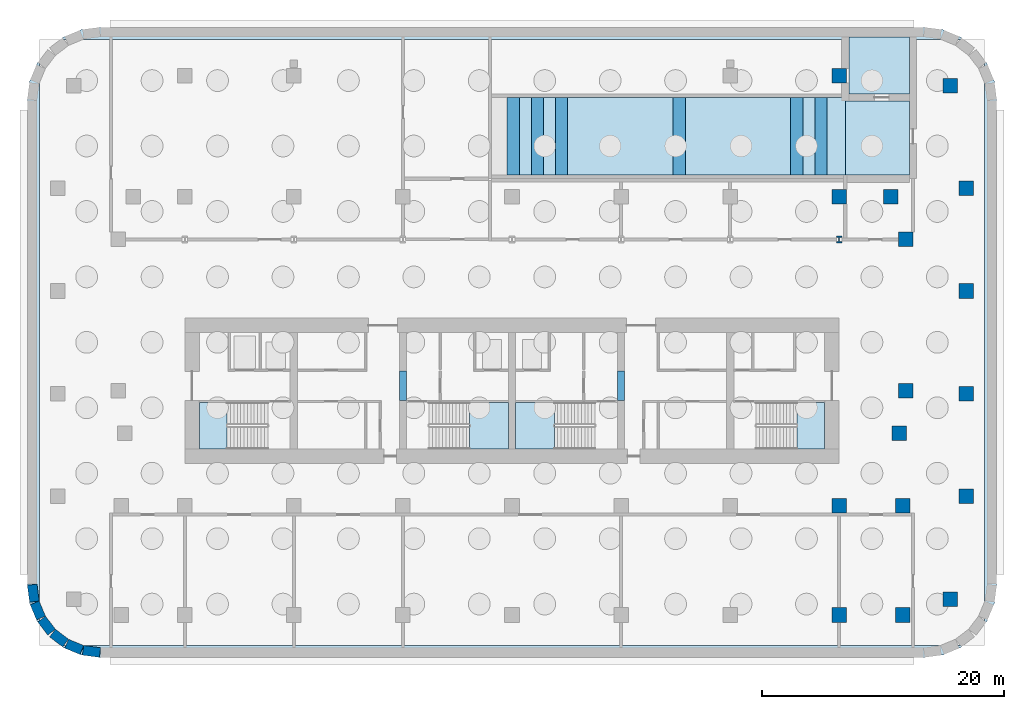
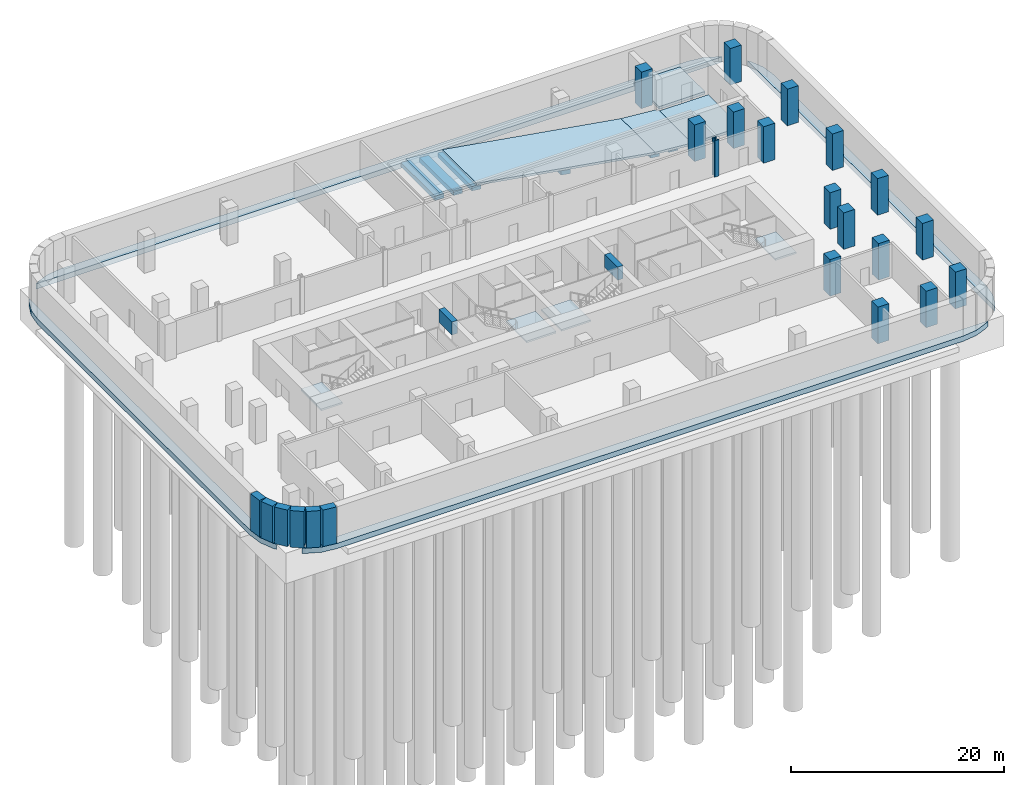
# One storey, part 2 of 8: 17 columns, 13 slabs, 8 beams, 6 walls, 5 elements without a shape of their own.
"""IFC4 building model written with IfcOpenShell, lengths in metres."""

from ifc_helpers import new_model, si_unit, direction, frame, frame_2d, origin, origin_2d, place, context, subcontext, project, spatial, polyline, rectangle, i_section, outline, extrude, material, layer, layer_set, material_profile, profile_set, type_object, element, aggregate, save


model = new_model("IFC4")

# Units and contexts
model_context = context("Model", 3, precision=1e-05, world=origin(), true_north=direction((0.0, 1.0)))
body_context = subcontext(model_context, "Body", "Model", "MODEL_VIEW")
ifc_project = project(units=[si_unit("LENGTHUNIT", "METRE"), si_unit("AREAUNIT", "SQUARE_METRE"), si_unit("VOLUMEUNIT", "CUBIC_METRE"), si_unit("PLANEANGLEUNIT", "RADIAN"), si_unit("MASSUNIT", "GRAM", prefix="KILO")], contexts=[model_context])

# Site, building, storey
site_placement = place(None, origin())
site = spatial("IfcSite", under=ifc_project, at=site_placement, CompositionType="ELEMENT")
building_placement = place(site_placement, origin())
building = spatial("IfcBuilding", under=site, at=building_placement, Name="Zellij Exchange Tower", CompositionType="ELEMENT")
storey_placement = place(building_placement, frame((0.0, 0.0, -12.60009765625)))
storey = spatial("IfcBuildingStorey", under=building, at=storey_placement, Name="B3", CompositionType="ELEMENT", Elevation=-12.60009765625)

# Columns
ifc_material_1 = material(Name="Concrete C70/85", Category="concrete")
ifc_material_profile_1 = material_profile(ifc_material_1, rectangle(XDim=1.199951171875, YDim=1.199951171875, at=origin_2d()), Name="STR-COLUMN RC1200x1200 C70/85")
ifc_profile_set_1 = profile_set([ifc_material_profile_1], Name="Concrete C70/85")
column_type_1 = type_object("IfcColumnType", Name="STR-COLUMN RC1200x1200 C70/85", PredefinedType="COLUMN", material=ifc_profile_set_1)
for number, where, z_axis, x_axis, name in (
    (1, (27.0, -26.5, 0.0), (0.0, 0.0, 1.0), (1.0, 0.0, 0.0), "C12"),
    (2, (32.25, -26.5, 0.0), (0.0, 0.0, 1.0), (1.0, 0.0, 0.0), "C12"),
    (3, (36.181884765625, -25.181884765625, 0.0), (0.0, 0.0, 1.0), (1.0, 0.0, 0.0), "C12"),
    (4, (27.0, -17.5, 0.0), (0.0, 0.0, 1.0), (1.0, 0.0, 0.0), "C12"),
    (5, (32.25, -17.5, 0.0), (0.0, 0.0, 1.0), (1.0, 0.0, 0.0), "C12"),
    (6, (37.5, -16.709228515625, 0.0), (0.0, 0.0, 1.0), (1.0, 0.0, 0.0), "C12"),
    (7, (31.949951171875, -11.5, 0.0), (0.0, 0.0, 1.0), (1.0, 0.0, 0.0), "C12"),
    (8, (37.5, -8.236328125, 0.0), (0.0, 0.0, 1.0), (1.0, 0.0, 0.0), "C12"),
    (9, (32.5, -8.0, 0.0), (0.0, 0.0, 1.0), (1.0, 0.0, 0.0), "C12"),
    (10, (37.5, 0.236328125, 0.0), (0.0, 0.0, 1.0), (1.0, 0.0, 0.0), "C12"),
    (11, (32.5, 4.5, 0.0), (0.0, 0.0, 1.0), (1.0, 0.0, 0.0), "C12"),
    (12, (27.0, 8.0, 0.0), (0.0, 0.0, 1.0), (1.0, 0.0, 0.0), "C12"),
    (13, (31.25, 8.0, 0.0), (0.0, 0.0, 1.0), (1.0, 0.0, 0.0), "C12"),
    (14, (37.5, 8.709228515625, 0.0), (0.0, 0.0, 1.0), (1.0, 0.0, 0.0), "C12"),
    (15, (36.181884765625, 17.181884765625, 0.0), (0.0, 0.0, 1.0), (1.0, 0.0, 0.0), "C12"),
    (16, (27.0, 18.0, 0.0), (0.0, 0.0, 1.0), (1.0, 0.0, 0.0), "C12"),
):
    element("IfcColumn", number, at=place(storey_placement, frame(where, z_axis=z_axis, x_axis=x_axis)), inside=storey, type_object=column_type_1, Name=name, PredefinedType="COLUMN", context=body_context, shape_type="SweptSolid", body=[
        extrude(rectangle(XDim=1.199951171875, YDim=1.199951171875, at=origin_2d()), origin(), (0.0, 0.0, 1.0), 4.2001953125),
    ])
ifc_material_2 = material(Name="Structural steel ASTM A913 Gr 65", Category="steel")
ifc_material_profile_2 = material_profile(ifc_material_2, i_section(OverallWidth=0.45458984375, OverallDepth=0.56884765625, WebThickness=0.077880859375, FlangeThickness=0.124755859375, at=origin_2d()), Name="W14x730")
ifc_profile_set_2 = profile_set([ifc_material_profile_2], Name="Structural steel ASTM A913 Gr 65")
column_type_2 = type_object("IfcColumnType", Name="STR-COLUMN W14x730", PredefinedType="COLUMN", material=ifc_profile_set_2)
column_placement = place(storey_placement, frame((27.0, 4.5, 0.0), z_axis=(0.0, 0.0, 1.0), x_axis=(1.0, 0.0, 0.0)))
element("IfcColumn", 17, at=column_placement, inside=storey, type_object=column_type_2, Name="C7", PredefinedType="COLUMN", context=body_context, shape_type="SweptSolid", body=[
    extrude(i_section(OverallWidth=0.45458984375, OverallDepth=0.56884765625, WebThickness=0.077880859375, FlangeThickness=0.124755859375, at=origin_2d()), origin(), (0.0, 0.0, 1.0), 4.2001953125),
])

# Beams
ifc_material_3 = material(Name="Concrete C40/50", Category="concrete")
beam_type_1 = type_object("IfcBeamType", Name="BSM-Ramp bearing beam 1000x500 C40/50", PredefinedType="BEAM", material=ifc_material_3)
beam_1_placement = place(storey_placement, frame((-0.39990234375, 9.800048828125, 3.9501953125), z_axis=(0.04244219063, 0.0, 0.999098924259), x_axis=(0.999098924259, 0.0, -0.04244219063)))
element("IfcBeam", 18, at=beam_1_placement, inside=storey, type_object=beam_type_1, Name="Car park ramp R3 bearing beam", PredefinedType="BEAM", context=body_context, shape_type="SweptSolid", body=[
    extrude(outline(polyline([(0.0, 0.0), (1.0009018884112568, 0.0), (1.0009018884112568, 6.39990234375), (0.0, 6.39990234375), (0.0, 0.0)])), origin(), (0.04244219063, 0.0, -0.999098924259), 0.5),
])
beam_2_placement = place(storey_placement, frame((1.60009765625, 9.800048828125, 3.82421875), z_axis=(0.082964939243, 0.0, 0.996552466685), x_axis=(0.996552466685, 0.0, -0.082964939243)))
element("IfcBeam", 19, at=beam_2_placement, inside=storey, type_object=beam_type_1, Name="Car park ramp R3 bearing beam", PredefinedType="BEAM", context=body_context, shape_type="SweptSolid", body=[
    extrude(outline(polyline([(0.0, 0.0), (1.0034594599181013, 0.0), (1.0034594599181013, 6.399902343750002), (0.0, 6.399902343750002), (0.0, 0.0)])), origin(), (0.082964939243, 0.0, -0.996552466685), 0.5),
])
beam_3_placement = place(storey_placement, frame((3.60009765625, 9.800048828125, 3.65771484375), z_axis=(0.126657236826, 0.0, 0.991946543096), x_axis=(0.991946543096, 0.0, -0.126657236826)))
element("IfcBeam", 20, at=beam_3_placement, inside=storey, type_object=beam_type_1, Name="Car park ramp R3 bearing beam", PredefinedType="BEAM", context=body_context, shape_type="SweptSolid", body=[
    extrude(outline(polyline([(0.0, 0.0), (1.008118841645551, 0.0), (1.008118841645551, 6.39990234375), (0.0, 6.39990234375), (0.0, 0.0)])), origin(), (0.126657236826, 0.0, -0.991946543096), 0.5),
])
beam_4_placement = place(storey_placement, frame((13.300048828125, 9.800048828125, 2.080078125), z_axis=(0.164477089163, 0.0, 0.986380903678), x_axis=(0.986380903678, 0.0, -0.164477089163)))
element("IfcBeam", 21, at=beam_4_placement, inside=storey, type_object=beam_type_1, Name="Car park ramp R3 bearing beam", PredefinedType="BEAM", context=body_context, shape_type="SweptSolid", body=[
    extrude(outline(polyline([(0.0, 0.0), (1.0138071370515338, 0.0), (1.0138071370515338, 6.399902343750002), (0.0, 6.399902343750002), (0.0, 0.0)])), origin(), (0.164477089163, 0.0, -0.986380903678), 0.5),
])
beam_5_placement = place(storey_placement, frame((23.0, 9.800048828125, 0.46337890625), z_axis=(0.121648382603, 0.0, 0.992573257251), x_axis=(0.992573257251, 0.0, -0.121648382603)))
element("IfcBeam", 22, at=beam_5_placement, inside=storey, type_object=beam_type_1, Name="Car park ramp R3 bearing beam", PredefinedType="BEAM", context=body_context, shape_type="SweptSolid", body=[
    extrude(outline(polyline([(0.0, 0.0), (1.0074823119548937, 0.0), (1.0074823119548937, 6.39990234375), (0.0, 6.39990234375), (0.0, 0.0)])), origin(), (0.121648382603, 0.0, -0.992573257251), 0.337890625),
])
beam_6_placement = place(storey_placement, frame((25.0, 9.800048828125, 0.257568359375), z_axis=(0.082964939243, 0.0, 0.996552466685), x_axis=(0.996552466685, 0.0, -0.082964939243)))
element("IfcBeam", 23, at=beam_6_placement, inside=storey, type_object=beam_type_1, Name="Car park ramp R3 bearing beam", PredefinedType="BEAM", context=body_context, shape_type="SweptSolid", body=[
    extrude(outline(polyline([(0.0, 0.0), (1.0034594599181013, 0.0), (1.0034594599181013, 6.399902343750002), (0.0, 6.399902343750002), (0.0, 0.0)])), origin(), (0.082964939243, 0.0, -0.996552466685), 0.171142578125),
])
ifc_material_profile_3 = material_profile(ifc_material_1, rectangle(XDim=0.60009765625, YDim=1.5, at=origin_2d()), Name="CORE-CB 600x1500 C70/85")
ifc_profile_set_3 = profile_set([ifc_material_profile_3], Name="Concrete C70/85")
beam_type_2 = type_object("IfcBeamType", Name="CORE-CB 600x1500 C70/85", PredefinedType="BEAM", material=ifc_profile_set_3)
for number, where, z_axis, x_axis, name in (
    (24, (-9.0, -8.800048828125, 3.150146484375), (0.0, 1.0, 0.0), (-1.0, 0.0, 0.0), "Core coupling beam x -9 B3"),
    (25, (9.0, -8.800048828125, 3.150146484375), (0.0, 1.0, 0.0), (-1.0, 0.0, 0.0), "Core coupling beam x 9 B3"),
):
    element("IfcBeam", number, at=place(storey_placement, frame(where, z_axis=z_axis, x_axis=x_axis)), inside=storey, type_object=beam_type_2, Name=name, PredefinedType="BEAM", context=body_context, shape_type="SweptSolid", body=[
        extrude(rectangle(XDim=0.60009765625, YDim=1.5, at=origin_2d()), origin(), (0.0, 0.0, 1.0), 2.425048828125),
    ])

# Slabs
ifc_layer_1 = layer(ifc_material_3, 0.300048828125)
ifc_layer_set_1 = layer_set([ifc_layer_1], Name="Concrete C40/50")
slab_type_1 = type_object("IfcSlabType", Name="BSM-Dock floor slab 300", PredefinedType="FLOOR", material=ifc_layer_set_1)
slab_1_placement = place(storey_placement, origin())
element("IfcSlab", 26, at=slab_1_placement, inside=storey, type_object=slab_type_1, Name="Armoured dock floor", PredefinedType="FLOOR", context=body_context, shape_type="SweptSolid", body=[
    extrude(outline(polyline([(32.800048828125, 9.800048828125), (32.800048828125, 15.89990234375), (27.5, 15.89990234375), (27.5, 9.800048828125), (32.800048828125, 9.800048828125)])), origin(), (0.0, 0.0, 1.0), 0.300048828125),
])
slab_2_placement = place(storey_placement, origin())
element("IfcSlab", 27, at=slab_2_placement, inside=storey, type_object=slab_type_1, Name="Armoured dock floor", PredefinedType="FLOOR", context=body_context, shape_type="SweptSolid", body=[
    extrude(outline(polyline([(32.800048828125, 16.5), (32.800048828125, 21.199951171875), (27.800048828125, 21.199951171875), (27.800048828125, 16.5), (32.800048828125, 16.5)])), origin(), (0.0, 0.0, 1.0), 0.300048828125),
])

# Ramp, slabs
ramp_type = type_object("IfcRampType", Name="BSM-Car ramp 6400", PredefinedType="STRAIGHT_RUN_RAMP", material=ifc_material_3)
ramp_placement = place(storey_placement, origin())
ramp = element("IfcRamp", 28, at=ramp_placement, inside=storey, type_object=ramp_type, Name="Car park ramp R3", PredefinedType="STRAIGHT_RUN_RAMP")
ifc_layer_2 = layer(ifc_material_3, 0.25)
ifc_layer_set_2 = layer_set([ifc_layer_2], Name="Concrete C40/50")
slab_type_2 = type_object("IfcSlabType", Name="BSM-Ramp slab 250 C40/50", PredefinedType="LANDING", material=ifc_layer_set_2)
slab_3_placement = place(storey_placement, frame((0.10009765625, 9.800048828125, 4.2001953125), z_axis=(0.083085749549, 0.0, 0.996542401618), x_axis=(0.996542401618, 0.0, -0.083085749549)))
slab_3 = element("IfcSlab", 29, at=slab_3_placement, type_object=slab_type_2, Name="Car park ramp R3 upper transition", PredefinedType="LANDING", context=body_context, shape_type="SweptSolid", body=[
    extrude(outline(polyline([(0.0, 0.0), (4.013878379391497, 0.0), (4.013878379391497, 6.39990234375), (0.0, 6.39990234375), (0.0, 0.0)])), origin(), (0.083085749549, 0.0, -0.996542401618), 0.2509765625),
])
slab_4_placement = place(storey_placement, frame((4.10009765625, 9.800048828125, 3.86669921875), z_axis=(0.16440301327, 0.0, 0.98639325283), x_axis=(0.98639325283, 0.0, -0.16440301327)))
slab_4 = element("IfcSlab", 30, at=slab_4_placement, type_object=slab_type_2, Name="Car park ramp R3 main run", PredefinedType="LANDING", context=body_context, shape_type="SweptSolid", body=[
    extrude(outline(polyline([(0.0, 0.0), (19.667513223655508, 0.0), (19.667513223655508, 6.39990234375), (0.0, 6.39990234375), (0.0, 0.0)])), origin(), (0.16440301327, 0.0, -0.98639325283), 0.25341796875),
])
slab_5_placement = place(storey_placement, frame((23.5, 9.800048828125, 0.63330078125), z_axis=(0.083025344854, 0.0, 0.996547435957), x_axis=(0.996547435957, 0.0, -0.083025344854)))
slab_5 = element("IfcSlab", 31, at=slab_5_placement, type_object=slab_type_2, Name="Car park ramp R3 lower transition", PredefinedType="LANDING", context=body_context, shape_type="SweptSolid", body=[
    extrude(outline(polyline([(0.0, 0.0), (4.013858102158275, 0.0), (4.013858102158275, 6.39990234375), (0.0, 6.39990234375), (0.0, 0.0)])), origin(), (0.083025344854, 0.0, -0.996547435957), 0.2509765625),
])
aggregate(ramp, [slab_3, slab_4, slab_5])

# Stair, slab
stair_type = type_object("IfcStairType", Name="CORE-ST exit stair 1850 wide", PredefinedType="HALF_TURN_STAIR", material=ifc_material_3)
stair_1_placement = place(storey_placement, origin())
stair_1 = element("IfcStair", 32, at=stair_1_placement, inside=storey, type_object=stair_type, Name="B3 exit stair ST1", PredefinedType="HALF_TURN_STAIR")
ifc_layer_3 = layer(ifc_material_3, 0.199951171875)
ifc_layer_set_3 = layer_set([ifc_layer_3], Name="Concrete C40/50")
slab_type_3 = type_object("IfcSlabType", Name="CORE-SL stair landing 200", PredefinedType="LANDING", material=ifc_layer_set_3)
slab_6_placement = place(storey_placement, frame((0.0, 0.0, 1.900146484375)))
slab_6 = element("IfcSlab", 33, at=slab_6_placement, type_object=slab_type_3, Name="ST1 landing 1", PredefinedType="LANDING", context=body_context, shape_type="SweptSolid", body=[
    extrude(outline(polyline([(-23.510009765625, -8.949951171875), (-25.800048828125, -8.949951171875), (-25.800048828125, -12.800048828125), (-23.510009765625, -12.800048828125), (-23.510009765625, -8.949951171875)])), origin(), (0.0, 0.0, 1.0), 0.199951171875),
])
aggregate(stair_1, [slab_6])

stair_2_placement = place(storey_placement, origin())
stair_2 = element("IfcStair", 34, at=stair_2_placement, inside=storey, type_object=stair_type, Name="B3 exit stair ST2", PredefinedType="HALF_TURN_STAIR")
slab_7_placement = place(storey_placement, frame((0.0, 0.0, 1.900146484375)))
slab_7 = element("IfcSlab", 35, at=slab_7_placement, type_object=slab_type_3, Name="ST2 landing 1", PredefinedType="LANDING", context=body_context, shape_type="SweptSolid", body=[
    extrude(outline(polyline([(-3.489990234375, -12.800048828125), (-0.300048828125, -12.800048828125), (-0.300048828125, -8.949951171875), (-3.489990234375, -8.949951171875), (-3.489990234375, -12.800048828125)])), origin(), (0.0, 0.0, 1.0), 0.199951171875),
])
aggregate(stair_2, [slab_7])

stair_3_placement = place(storey_placement, origin())
stair_3 = element("IfcStair", 36, at=stair_3_placement, inside=storey, type_object=stair_type, Name="B3 exit stair ST3", PredefinedType="HALF_TURN_STAIR")
slab_8_placement = place(storey_placement, frame((0.0, 0.0, 1.900146484375)))
slab_8 = element("IfcSlab", 37, at=slab_8_placement, type_object=slab_type_3, Name="ST3 landing 1", PredefinedType="LANDING", context=body_context, shape_type="SweptSolid", body=[
    extrude(outline(polyline([(3.489990234375, -8.949951171875), (0.300048828125, -8.949951171875), (0.300048828125, -12.800048828125), (3.489990234375, -12.800048828125), (3.489990234375, -8.949951171875)])), origin(), (0.0, 0.0, 1.0), 0.199951171875),
])
aggregate(stair_3, [slab_8])

stair_4_placement = place(storey_placement, origin())
stair_4 = element("IfcStair", 38, at=stair_4_placement, inside=storey, type_object=stair_type, Name="B3 exit stair ST4", PredefinedType="HALF_TURN_STAIR")
slab_9_placement = place(storey_placement, frame((0.0, 0.0, 1.900146484375)))
slab_9 = element("IfcSlab", 39, at=slab_9_placement, type_object=slab_type_3, Name="ST4 landing 1", PredefinedType="LANDING", context=body_context, shape_type="SweptSolid", body=[
    extrude(outline(polyline([(23.510009765625, -12.800048828125), (25.800048828125, -12.800048828125), (25.800048828125, -8.949951171875), (23.510009765625, -8.949951171875), (23.510009765625, -12.800048828125)])), origin(), (0.0, 0.0, 1.0), 0.199951171875),
])
aggregate(stair_4, [slab_9])

# Slabs
ifc_layer_4 = layer(ifc_material_3, 0.60009765625)
ifc_layer_set_4 = layer_set([ifc_layer_4], Name="Concrete C40/50")
slab_type_4 = type_object("IfcSlabType", Name="STR-BASE SLAB 600 C40/50", PredefinedType="BASESLAB", material=ifc_layer_set_4)
slab_10_placement = place(storey_placement, frame((0.0, 0.0, -0.60009765625)))
element("IfcSlab", 40, at=slab_10_placement, inside=storey, type_object=slab_type_4, Name="Floor B3", PredefinedType="BASESLAB", context=body_context, shape_type="SweptSolid", body=[
    extrude(outline(polyline([(37.0, -29.1962890625), (35.552978515625, -29.795654296875), (34.0, -30.0), (-34.0, -30.0), (-35.552978515625, -29.795654296875), (-37.0, -29.1962890625), (-37.255615234375, -29.0), (37.255615234375, -29.0), (37.0, -29.1962890625)])), origin(), (0.0, 0.0, 1.0), 0.60009765625),
])
slab_11_placement = place(storey_placement, frame((0.0, 0.0, -0.60009765625)))
element("IfcSlab", 41, at=slab_11_placement, inside=storey, type_object=slab_type_4, Name="Floor B3", PredefinedType="BASESLAB", context=body_context, shape_type="SweptSolid", body=[
    extrude(outline(polyline([(39.1962890625, 19.0), (39.795654296875, 17.552978515625), (40.0, 16.0), (40.0, -24.0), (39.795654296875, -25.552978515625), (39.1962890625, -27.0), (39.0, -27.255615234375), (39.0, 19.255615234375), (39.1962890625, 19.0)])), origin(), (0.0, 0.0, 1.0), 0.60009765625),
])
slab_12_placement = place(storey_placement, frame((0.0, 0.0, -0.60009765625)))
element("IfcSlab", 42, at=slab_12_placement, inside=storey, type_object=slab_type_4, Name="Floor B3", PredefinedType="BASESLAB", context=body_context, shape_type="SweptSolid", body=[
    extrude(outline(polyline([(-37.0, 21.1962890625), (-35.552978515625, 21.795654296875), (-34.0, 22.0), (34.0, 22.0), (35.552978515625, 21.795654296875), (37.0, 21.1962890625), (37.255615234375, 21.0), (-37.255615234375, 21.0), (-37.0, 21.1962890625)])), origin(), (0.0, 0.0, 1.0), 0.60009765625),
])
slab_13_placement = place(storey_placement, frame((0.0, 0.0, -0.60009765625)))
element("IfcSlab", 43, at=slab_13_placement, inside=storey, type_object=slab_type_4, Name="Floor B3", PredefinedType="BASESLAB", context=body_context, shape_type="SweptSolid", body=[
    extrude(outline(polyline([(-39.1962890625, -27.0), (-39.795654296875, -25.552978515625), (-40.0, -24.0), (-40.0, 16.0), (-39.795654296875, 17.552978515625), (-39.1962890625, 19.0), (-39.0, 19.255615234375), (-39.0, -27.255615234375), (-39.1962890625, -27.0)])), origin(), (0.0, 0.0, 1.0), 0.60009765625),
])

# Walls
ifc_layer_5 = layer(ifc_material_3, 0.800048828125)
ifc_layer_set_5 = layer_set([ifc_layer_5], Name="Concrete C40/50")
wall_type = type_object("IfcWallType", Name="STR-RETAINING WALL 800 C40/50", PredefinedType="SOLIDWALL", material=ifc_layer_set_5)
wall_1_placement = place(storey_placement, frame((-33.999755859375, -29.5966796875, 0.0), z_axis=(0.0, 0.0, 1.0), x_axis=(-0.99144603414, 0.130517283865, 0.0)))
element("IfcWall", 44, at=wall_1_placement, inside=storey, type_object=wall_type, Name="Retaining wall B3", PredefinedType="SOLIDWALL", context=body_context, shape_type="SweptSolid", body=[
    extrude(rectangle(XDim=1.408447265625, YDim=0.800048828125, at=frame_2d((0.7041015625, 0.0))), origin(), (0.0, 0.0, 1.0), 4.2001953125),
])
for number, where, z_axis, x_axis, name in (
    (45, (-35.497314453125, -29.3857421875, 0.0), (0.0, 0.0, 1.0), (-0.923847774587, 0.38276009378, 0.0), "Retaining wall B3"),
    (46, (-36.840087890625, -28.814697265625, 0.0), (0.0, 0.0, 1.0), (-0.793359897258, 0.608752883708, 0.0), "Retaining wall B3"),
    (47, (-37.989501953125, -27.91552734375, 0.0), (0.0, 0.0, 1.0), (-0.608752883708, 0.793359897258, 0.0), "Retaining wall B3"),
    (48, (-38.866943359375, -26.74951171875, 0.0), (0.0, 0.0, 1.0), (-0.38276009378, 0.923847774587, 0.0), "Retaining wall B3"),
):
    element("IfcWall", number, at=place(storey_placement, frame(where, z_axis=z_axis, x_axis=x_axis)), inside=storey, type_object=wall_type, Name=name, PredefinedType="SOLIDWALL", context=body_context, shape_type="SweptSolid", body=[
        extrude(rectangle(XDim=1.35546875, YDim=0.800048828125, at=frame_2d((0.677734375, 0.0))), origin(), (0.0, 0.0, 1.0), 4.2001953125),
    ])
wall_2_placement = place(storey_placement, frame((-39.412841796875, -25.396240234375, 0.0), z_axis=(0.0, 0.0, 1.0), x_axis=(-0.130517283865, 0.99144603414, 0.0)))
element("IfcWall", 49, at=wall_2_placement, inside=storey, type_object=wall_type, Name="Retaining wall B3", PredefinedType="SOLIDWALL", context=body_context, shape_type="SweptSolid", body=[
    extrude(rectangle(XDim=1.408447265625, YDim=0.800048828125, at=frame_2d((0.7041015625, 0.0))), origin(), (0.0, 0.0, 1.0), 4.2001953125),
])

save(model, "model.ifc")
